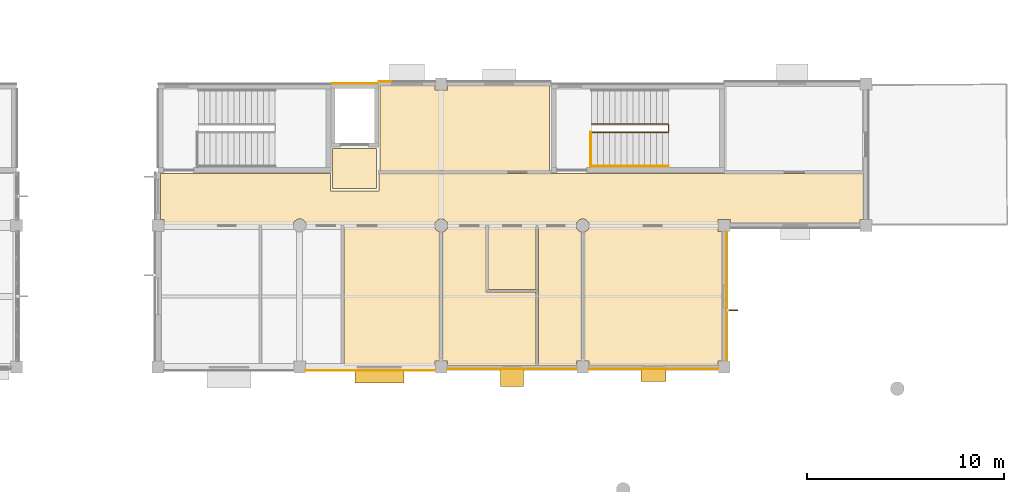
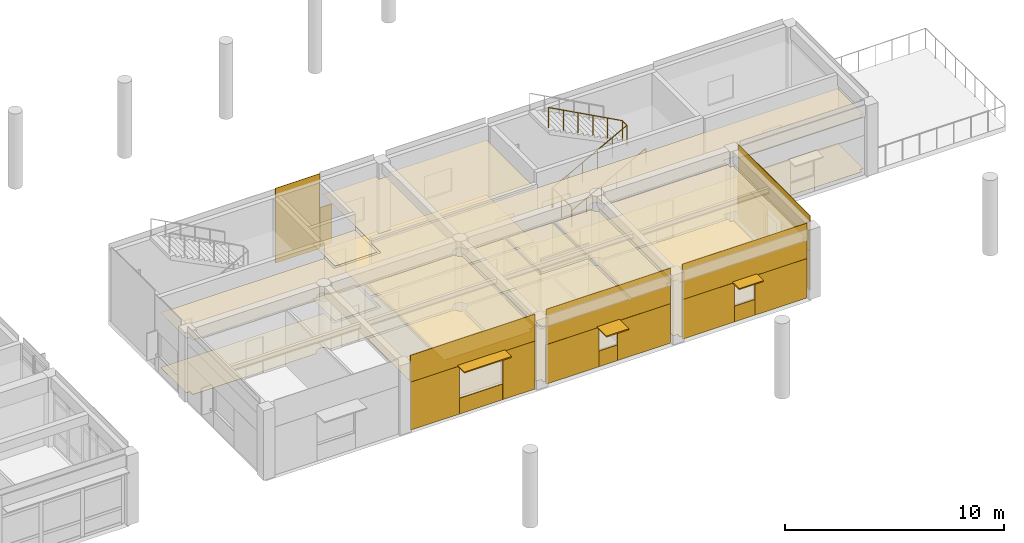
# One storey, part 43 of 55: 34 coverings, 4 shading devices, 3 railings.
"""IFC4 building model written with IfcOpenShell, lengths in metres."""

from ifc_helpers import new_model, si_unit, direction, frame, origin, origin_2d, place, context, subcontext, project, spatial, polyline, rectangle, circle, outline, extrude, material, layer, layer_set, type_object, element, save


model = new_model("IFC4")

# Units and contexts
model_context = context("Model", 3, precision=1e-05, world=origin(), true_north=direction((0.0, 1.0)))
body_context = subcontext(model_context, "Body", "Model", "MODEL_VIEW")
ifc_project = project(units=[si_unit("LENGTHUNIT", "METRE"), si_unit("AREAUNIT", "SQUARE_METRE"), si_unit("VOLUMEUNIT", "CUBIC_METRE"), si_unit("PLANEANGLEUNIT", "RADIAN"), si_unit("MASSUNIT", "GRAM", prefix="KILO")], contexts=[model_context])

# Site, building, storey
site_placement = place(None, origin())
site = spatial("IfcSite", under=ifc_project, at=site_placement, CompositionType="ELEMENT")
building_placement = place(site_placement, origin())
building = spatial("IfcBuilding", under=site, at=building_placement, Name="Namkhue Oval Health Centre", CompositionType="ELEMENT")
storey_placement = place(building_placement, frame((0.0, 0.0, 9.60009765625)))
storey = spatial("IfcBuildingStorey", under=building, at=storey_placement, Name="L02", CompositionType="ELEMENT", Elevation=9.60009765625)

# Coverings
ifc_material_1 = material(Name="Acoustic mineral-fibre cleanroom ceiling", Category="gypsum")
ifc_layer_1 = layer(ifc_material_1, 0.02001953125)
ifc_layer_set_1 = layer_set([ifc_layer_1], Name="Acoustic mineral-fibre cleanroom ceiling")
covering_type_1 = type_object("IfcCoveringType", Name="ACOUSTIC CLEANROOM CEILING 20", PredefinedType="CEILING", material=ifc_layer_set_1)
covering_1_placement = place(storey_placement, frame((0.0, 0.0, 3.0498046875)))
element("IfcCovering", 1, at=covering_1_placement, inside=storey, type_object=covering_type_1, Name="Acoustic Ceiling L02-LL6 Lift Lobby LF-06", PredefinedType="CEILING", context=body_context, shape_type="SweptSolid", body=[
    extrude(outline(polyline([(102.47998046875, 23.47998046875), (102.47998046875, 25.52001953125), (104.719970703125, 25.52001953125), (104.719970703125, 23.47998046875), (102.47998046875, 23.47998046875)])), origin(), (0.0, 0.0, 1.0), 0.02001953125),
])
covering_2_placement = place(storey_placement, frame((0.0, 0.0, 3.0498046875)))
element("IfcCovering", 2, at=covering_2_placement, inside=storey, type_object=covering_type_1, Name="Acoustic Ceiling L02-V5-C1 V5 Clinical Corridor", PredefinedType="CEILING", context=body_context, shape_type="SweptSolid", body=[
    extrude(outline(polyline([(115.52978515625, 21.639892578125), (115.523681640625, 21.686767578125), (115.489990234375, 21.767578125), (115.43701171875, 21.8369140625), (115.367431640625, 21.89013671875), (115.28662109375, 21.923583984375), (115.199951171875, 21.93505859375), (115.11328125, 21.923583984375), (115.032470703125, 21.89013671875), (114.963134765625, 21.8369140625), (114.909912109375, 21.767578125), (114.87646484375, 21.686767578125), (114.870361328125, 21.639892578125), (108.32958984375, 21.639892578125), (108.323486328125, 21.686767578125), (108.2900390625, 21.767578125), (108.23681640625, 21.8369140625), (108.16748046875, 21.89013671875), (108.086669921875, 21.923583984375), (108.0, 21.93505859375), (107.913330078125, 21.923583984375), (107.83251953125, 21.89013671875), (107.76318359375, 21.8369140625), (107.7099609375, 21.767578125), (107.676513671875, 21.686767578125), (107.67041015625, 21.639892578125), (101.129638671875, 21.639892578125), (101.12353515625, 21.686767578125), (101.090087890625, 21.767578125), (101.036865234375, 21.8369140625), (100.967529296875, 21.89013671875), (100.88671875, 21.923583984375), (100.800048828125, 21.93505859375), (100.71337890625, 21.923583984375), (100.632568359375, 21.89013671875), (100.56298828125, 21.8369140625), (100.510009765625, 21.767578125), (100.476318359375, 21.686767578125), (100.47021484375, 21.639892578125), (93.909912109375, 21.639892578125), (93.909912109375, 21.909912109375), (93.72509765625, 21.909912109375), (93.72509765625, 24.260009765625), (102.360107421875, 24.260009765625), (102.360107421875, 23.39990234375), (102.363037109375, 23.384765625), (102.37158203125, 23.37158203125), (102.384765625, 23.363037109375), (102.39990234375, 23.360107421875), (104.800048828125, 23.360107421875), (104.815185546875, 23.363037109375), (104.833251953125, 23.377685546875), (104.840087890625, 23.39990234375), (104.840087890625, 24.260009765625), (129.47509765625, 24.260009765625), (129.47509765625, 21.909912109375), (129.2900390625, 21.909912109375), (129.2900390625, 21.72509765625), (122.7099609375, 21.72509765625), (122.7099609375, 21.909912109375), (122.090087890625, 21.909912109375), (122.090087890625, 21.639892578125), (115.52978515625, 21.639892578125)])), origin(), (0.0, 0.0, 1.0), 0.02001953125),
])
covering_3_placement = place(storey_placement, frame((0.0, 0.0, 3.0498046875)))
element("IfcCovering", 3, at=covering_3_placement, inside=storey, type_object=covering_type_1, Name="Acoustic Ceiling L02-503 Sensory Calm Therapy Room", PredefinedType="CEILING", context=body_context, shape_type="SweptSolid", body=[
    extrude(outline(polyline([(103.053955078125, 14.485107421875), (103.053955078125, 21.52001953125), (107.675537109375, 21.52001953125), (107.7099609375, 21.4326171875), (107.76318359375, 21.363037109375), (107.83251953125, 21.309814453125), (107.913330078125, 21.2763671875), (107.929931640625, 21.274169921875), (107.929931640625, 14.7099609375), (107.68994140625, 14.7099609375), (107.68994140625, 14.485107421875), (103.053955078125, 14.485107421875)])), origin(), (0.0, 0.0, 1.0), 0.02001953125),
])
covering_4_placement = place(storey_placement, frame((0.0, 0.0, 3.0498046875)))
element("IfcCovering", 4, at=covering_4_placement, inside=storey, type_object=covering_type_1, Name="Acoustic Ceiling L02-504 Quiet Family Consultation Room", PredefinedType="CEILING", context=body_context, shape_type="SweptSolid", body=[
    extrude(outline(polyline([(110.280029296875, 21.52001953125), (110.280029296875, 18.219970703125), (112.820068359375, 18.219970703125), (112.820068359375, 14.485107421875), (108.31005859375, 14.485107421875), (108.31005859375, 14.7099609375), (108.070068359375, 14.7099609375), (108.070068359375, 21.274169921875), (108.086669921875, 21.2763671875), (108.16748046875, 21.309814453125), (108.23681640625, 21.363037109375), (108.2900390625, 21.4326171875), (108.324462890625, 21.52001953125), (110.280029296875, 21.52001953125)])), origin(), (0.0, 0.0, 1.0), 0.02001953125),
])
covering_5_placement = place(storey_placement, frame((0.0, 0.0, 3.0498046875)))
element("IfcCovering", 5, at=covering_5_placement, inside=storey, type_object=covering_type_1, Name="Acoustic Ceiling L02-505 Accessible WC", PredefinedType="CEILING", context=body_context, shape_type="SweptSolid", body=[
    extrude(outline(polyline([(110.39990234375, 18.340087890625), (110.39990234375, 21.52001953125), (112.820068359375, 21.52001953125), (112.820068359375, 18.340087890625), (110.39990234375, 18.340087890625)])), origin(), (0.0, 0.0, 1.0), 0.02001953125),
])
covering_6_placement = place(storey_placement, frame((0.0, 0.0, 3.0498046875)))
element("IfcCovering", 6, at=covering_6_placement, inside=storey, type_object=covering_type_1, Name="Acoustic Ceiling L02-506 Patient Washroom", PredefinedType="CEILING", context=body_context, shape_type="SweptSolid", body=[
    extrude(outline(polyline([(112.93994140625, 14.485107421875), (112.93994140625, 21.52001953125), (114.87548828125, 21.52001953125), (114.909912109375, 21.4326171875), (114.963134765625, 21.363037109375), (115.032470703125, 21.309814453125), (115.11328125, 21.2763671875), (115.1298828125, 21.274169921875), (115.1298828125, 14.7099609375), (114.889892578125, 14.7099609375), (114.889892578125, 14.485107421875), (112.93994140625, 14.485107421875)])), origin(), (0.0, 0.0, 1.0), 0.02001953125),
])
covering_7_placement = place(storey_placement, frame((0.0, 0.0, 3.0498046875)))
element("IfcCovering", 7, at=covering_7_placement, inside=storey, type_object=covering_type_1, Name="Acoustic Ceiling L02-507 Mental Health Lounge", PredefinedType="CEILING", context=body_context, shape_type="SweptSolid", body=[
    extrude(outline(polyline([(115.510009765625, 14.485107421875), (115.510009765625, 14.7099609375), (115.27001953125, 14.7099609375), (115.27001953125, 21.274169921875), (115.28662109375, 21.2763671875), (115.367431640625, 21.309814453125), (115.43701171875, 21.363037109375), (115.489990234375, 21.4326171875), (115.5244140625, 21.52001953125), (122.090087890625, 21.52001953125), (122.090087890625, 21.2900390625), (122.2451171875, 21.2900390625), (122.2451171875, 14.7099609375), (122.090087890625, 14.7099609375), (122.090087890625, 14.485107421875), (115.510009765625, 14.485107421875)])), origin(), (0.0, 0.0, 1.0), 0.02001953125),
])
covering_8_placement = place(storey_placement, frame((0.0, 0.0, 3.0498046875)))
element("IfcCovering", 8, at=covering_8_placement, inside=storey, type_object=covering_type_1, Name="Acoustic Ceiling L02-508 East Terrace Mindfulness Lounge", PredefinedType="CEILING", context=body_context, shape_type="SweptSolid", body=[
    extrude(outline(polyline([(104.8798828125, 24.3798828125), (104.8798828125, 28.715087890625), (107.68994140625, 28.715087890625), (107.68994140625, 28.489990234375), (108.31005859375, 28.489990234375), (108.31005859375, 28.715087890625), (113.52001953125, 28.715087890625), (113.52001953125, 24.3798828125), (104.8798828125, 24.3798828125)])), origin(), (0.0, 0.0, 1.0), 0.02001953125),
])
ifc_material_2 = material(Name="Homogeneous anti-bacterial clinical vinyl flooring", Category="plastic")
ifc_layer_2 = layer(ifc_material_2, 0.014892578125)
ifc_layer_set_2 = layer_set([ifc_layer_2], Name="Homogeneous anti-bacterial clinical vinyl flooring")
covering_type_2 = type_object("IfcCoveringType", Name="CLINICAL ANTIBACTERIAL VINYL FLOORING 15", PredefinedType="FLOORING", material=ifc_layer_set_2)
covering_9_placement = place(storey_placement, origin())
element("IfcCovering", 9, at=covering_9_placement, inside=storey, type_object=covering_type_2, Name="Clinical Flooring L02-LL6 Lift Lobby LF-06", PredefinedType="FLOORING", context=body_context, shape_type="SweptSolid", body=[
    extrude(outline(polyline([(102.47998046875, 23.47998046875), (102.47998046875, 25.52001953125), (104.719970703125, 25.52001953125), (104.719970703125, 23.47998046875), (102.47998046875, 23.47998046875)])), origin(), (0.0, 0.0, 1.0), 0.014892578125),
])
covering_10_placement = place(storey_placement, origin())
element("IfcCovering", 10, at=covering_10_placement, inside=storey, type_object=covering_type_2, Name="Clinical Flooring L02-V5-C1 V5 Clinical Corridor", PredefinedType="FLOORING", context=body_context, shape_type="SweptSolid", body=[
    extrude(outline(polyline([(115.52978515625, 21.639892578125), (115.523681640625, 21.686767578125), (115.489990234375, 21.767578125), (115.43701171875, 21.8369140625), (115.367431640625, 21.89013671875), (115.28662109375, 21.923583984375), (115.199951171875, 21.93505859375), (115.11328125, 21.923583984375), (115.032470703125, 21.89013671875), (114.963134765625, 21.8369140625), (114.909912109375, 21.767578125), (114.87646484375, 21.686767578125), (114.870361328125, 21.639892578125), (108.32958984375, 21.639892578125), (108.323486328125, 21.686767578125), (108.2900390625, 21.767578125), (108.23681640625, 21.8369140625), (108.16748046875, 21.89013671875), (108.086669921875, 21.923583984375), (108.0, 21.93505859375), (107.913330078125, 21.923583984375), (107.83251953125, 21.89013671875), (107.76318359375, 21.8369140625), (107.7099609375, 21.767578125), (107.676513671875, 21.686767578125), (107.67041015625, 21.639892578125), (101.129638671875, 21.639892578125), (101.12353515625, 21.686767578125), (101.090087890625, 21.767578125), (101.036865234375, 21.8369140625), (100.967529296875, 21.89013671875), (100.88671875, 21.923583984375), (100.800048828125, 21.93505859375), (100.71337890625, 21.923583984375), (100.632568359375, 21.89013671875), (100.56298828125, 21.8369140625), (100.510009765625, 21.767578125), (100.476318359375, 21.686767578125), (100.47021484375, 21.639892578125), (93.909912109375, 21.639892578125), (93.909912109375, 21.909912109375), (93.72509765625, 21.909912109375), (93.72509765625, 24.260009765625), (102.360107421875, 24.260009765625), (102.360107421875, 23.39990234375), (102.363037109375, 23.384765625), (102.37158203125, 23.37158203125), (102.384765625, 23.363037109375), (102.39990234375, 23.360107421875), (104.800048828125, 23.360107421875), (104.815185546875, 23.363037109375), (104.833251953125, 23.377685546875), (104.840087890625, 23.39990234375), (104.840087890625, 24.260009765625), (129.47509765625, 24.260009765625), (129.47509765625, 21.909912109375), (129.2900390625, 21.909912109375), (129.2900390625, 21.72509765625), (122.7099609375, 21.72509765625), (122.7099609375, 21.909912109375), (122.090087890625, 21.909912109375), (122.090087890625, 21.639892578125), (115.52978515625, 21.639892578125)])), origin(), (0.0, 0.0, 1.0), 0.014892578125),
])
covering_11_placement = place(storey_placement, origin())
element("IfcCovering", 11, at=covering_11_placement, inside=storey, type_object=covering_type_2, Name="Clinical Flooring L02-503 Sensory Calm Therapy Room", PredefinedType="FLOORING", context=body_context, shape_type="SweptSolid", body=[
    extrude(outline(polyline([(103.053955078125, 14.485107421875), (103.053955078125, 21.52001953125), (107.675537109375, 21.52001953125), (107.7099609375, 21.4326171875), (107.76318359375, 21.363037109375), (107.83251953125, 21.309814453125), (107.913330078125, 21.2763671875), (107.929931640625, 21.274169921875), (107.929931640625, 14.7099609375), (107.68994140625, 14.7099609375), (107.68994140625, 14.485107421875), (103.053955078125, 14.485107421875)])), origin(), (0.0, 0.0, 1.0), 0.014892578125),
])
covering_12_placement = place(storey_placement, origin())
element("IfcCovering", 12, at=covering_12_placement, inside=storey, type_object=covering_type_2, Name="Clinical Flooring L02-504 Quiet Family Consultation Room", PredefinedType="FLOORING", context=body_context, shape_type="SweptSolid", body=[
    extrude(outline(polyline([(110.280029296875, 21.52001953125), (110.280029296875, 18.219970703125), (112.820068359375, 18.219970703125), (112.820068359375, 14.485107421875), (108.31005859375, 14.485107421875), (108.31005859375, 14.7099609375), (108.070068359375, 14.7099609375), (108.070068359375, 21.274169921875), (108.086669921875, 21.2763671875), (108.16748046875, 21.309814453125), (108.23681640625, 21.363037109375), (108.2900390625, 21.4326171875), (108.324462890625, 21.52001953125), (110.280029296875, 21.52001953125)])), origin(), (0.0, 0.0, 1.0), 0.014892578125),
])
covering_13_placement = place(storey_placement, origin())
element("IfcCovering", 13, at=covering_13_placement, inside=storey, type_object=covering_type_2, Name="Clinical Flooring L02-505 Accessible WC", PredefinedType="FLOORING", context=body_context, shape_type="SweptSolid", body=[
    extrude(outline(polyline([(110.39990234375, 18.340087890625), (110.39990234375, 21.52001953125), (112.820068359375, 21.52001953125), (112.820068359375, 18.340087890625), (110.39990234375, 18.340087890625)])), origin(), (0.0, 0.0, 1.0), 0.014892578125),
])
covering_14_placement = place(storey_placement, origin())
element("IfcCovering", 14, at=covering_14_placement, inside=storey, type_object=covering_type_2, Name="Clinical Flooring L02-506 Patient Washroom", PredefinedType="FLOORING", context=body_context, shape_type="SweptSolid", body=[
    extrude(outline(polyline([(112.93994140625, 14.485107421875), (112.93994140625, 21.52001953125), (114.87548828125, 21.52001953125), (114.909912109375, 21.4326171875), (114.963134765625, 21.363037109375), (115.032470703125, 21.309814453125), (115.11328125, 21.2763671875), (115.1298828125, 21.274169921875), (115.1298828125, 14.7099609375), (114.889892578125, 14.7099609375), (114.889892578125, 14.485107421875), (112.93994140625, 14.485107421875)])), origin(), (0.0, 0.0, 1.0), 0.014892578125),
])
covering_15_placement = place(storey_placement, origin())
element("IfcCovering", 15, at=covering_15_placement, inside=storey, type_object=covering_type_2, Name="Clinical Flooring L02-507 Mental Health Lounge", PredefinedType="FLOORING", context=body_context, shape_type="SweptSolid", body=[
    extrude(outline(polyline([(115.510009765625, 14.485107421875), (115.510009765625, 14.7099609375), (115.27001953125, 14.7099609375), (115.27001953125, 21.274169921875), (115.28662109375, 21.2763671875), (115.367431640625, 21.309814453125), (115.43701171875, 21.363037109375), (115.489990234375, 21.4326171875), (115.5244140625, 21.52001953125), (122.090087890625, 21.52001953125), (122.090087890625, 21.2900390625), (122.2451171875, 21.2900390625), (122.2451171875, 14.7099609375), (122.090087890625, 14.7099609375), (122.090087890625, 14.485107421875), (115.510009765625, 14.485107421875)])), origin(), (0.0, 0.0, 1.0), 0.014892578125),
])
covering_16_placement = place(storey_placement, origin())
element("IfcCovering", 16, at=covering_16_placement, inside=storey, type_object=covering_type_2, Name="Clinical Flooring L02-508 East Terrace Mindfulness Lounge", PredefinedType="FLOORING", context=body_context, shape_type="SweptSolid", body=[
    extrude(outline(polyline([(104.8798828125, 24.3798828125), (104.8798828125, 28.715087890625), (107.68994140625, 28.715087890625), (107.68994140625, 28.489990234375), (108.31005859375, 28.489990234375), (108.31005859375, 28.715087890625), (113.52001953125, 28.715087890625), (113.52001953125, 24.3798828125), (104.8798828125, 24.3798828125)])), origin(), (0.0, 0.0, 1.0), 0.014892578125),
])

# Railings
ifc_material_3 = material(Name="Brushed stainless steel 316L balustrade with laminated glass infill", Category="steel")
railing_type_1 = type_object("IfcRailingType", Name="INTERIOR BALUSTRADE GUARD 1150", PredefinedType="BALUSTRADE", material=ifc_material_3)
railing_1_placement = place(storey_placement, frame((115.60009765625, 24.590087890625, 0.0)))
element("IfcRailing", 17, at=railing_1_placement, inside=storey, type_object=railing_type_1, Name="Stair ST-10 L02 Landing Well Edge Guard", PredefinedType="BALUSTRADE", context=body_context, shape_type="SweptSolid", body=[
    extrude(circle(Radius=0.02392578125, at=origin_2d()), frame((0.0, 0.0, 1.1259765625), z_axis=(0.0, 1.0, 0.0), x_axis=(-1.0, 0.0, 0.0)), (0.0, 0.0, 1.0), 1.77001953125),
    extrude(circle(Radius=0.02099609375, at=origin_2d()), origin(), (0.0, 0.0, 1.0), 1.101806640625),
    extrude(circle(Radius=0.02099609375, at=origin_2d()), frame((0.0, 0.885009765625, 0.0)), (0.0, 0.0, 1.0), 1.101806640625),
    extrude(circle(Radius=0.02099609375, at=origin_2d()), frame((0.0, 1.77001953125, 0.0)), (0.0, 0.0, 1.0), 1.101806640625),
])
railing_2_placement = place(storey_placement, frame((115.64990234375, 26.340087890625, 0.0)))
element("IfcRailing", 18, at=railing_2_placement, inside=storey, type_object=railing_type_1, Name="Stair ST-10 L02 Inner Well Guard", PredefinedType="BALUSTRADE", context=body_context, shape_type="SweptSolid", body=[
    extrude(circle(Radius=0.02392578125, at=origin_2d()), frame((0.0, 0.0, 1.1259765625), z_axis=(0.88049233674, 0.0, 0.474060381114), x_axis=(0.0, 1.0, 0.0)), (0.0, 0.0, 1.0), 4.429443359375),
    extrude(circle(Radius=0.02392578125, at=origin_2d()), frame((3.900146484375, 0.0, 3.2255859375), z_axis=(0.0, 1.0, 0.0), x_axis=(-1.0, 0.0, 0.0)), (0.0, 0.0, 1.0), 0.419921875),
    extrude(circle(Radius=0.02392578125, at=origin_2d()), frame((3.900146484375, 0.419921875, 3.2255859375), z_axis=(-0.880469330154, 0.0, 0.474103109733), x_axis=(0.0, -1.0, 0.0)), (0.0, 0.0, 1.0), 4.4296875),
    extrude(circle(Radius=0.02099609375, at=origin_2d()), origin(), (0.0, 0.0, 1.0), 1.101806640625),
    extrude(circle(Radius=0.02099609375, at=origin_2d()), frame((0.780029296875, 0.0, 0.419921875)), (0.0, 0.0, 1.0), 1.101806640625),
    extrude(circle(Radius=0.02099609375, at=origin_2d()), frame((1.56005859375, 0.0, 0.83984375)), (0.0, 0.0, 1.0), 1.101806640625),
    extrude(circle(Radius=0.02099609375, at=origin_2d()), frame((2.340087890625, 0.0, 1.260009765625)), (0.0, 0.0, 1.0), 1.101806640625),
    extrude(circle(Radius=0.02099609375, at=origin_2d()), frame((3.1201171875, 0.0, 1.679931640625)), (0.0, 0.0, 1.0), 1.101806640625),
    extrude(circle(Radius=0.02099609375, at=origin_2d()), frame((3.900146484375, 0.0, 2.099853515625)), (0.0, 0.0, 1.0), 1.101806640625),
    extrude(circle(Radius=0.02099609375, at=origin_2d()), frame((3.900146484375, 0.419921875, 2.099853515625)), (0.0, 0.0, 1.0), 1.101806640625),
    extrude(circle(Radius=0.02099609375, at=origin_2d()), frame((3.1201171875, 0.419921875, 2.519775390625)), (0.0, 0.0, 1.0), 1.101806640625),
    extrude(circle(Radius=0.02099609375, at=origin_2d()), frame((2.340087890625, 0.419921875, 2.93994140625)), (0.0, 0.0, 1.0), 1.101806640625),
    extrude(circle(Radius=0.02099609375, at=origin_2d()), frame((1.56005859375, 0.419921875, 3.35986328125)), (0.0, 0.0, 1.0), 1.101806640625),
    extrude(circle(Radius=0.02099609375, at=origin_2d()), frame((0.780029296875, 0.419921875, 3.780029296875)), (0.0, 0.0, 1.0), 1.101806640625),
    extrude(circle(Radius=0.02099609375, at=origin_2d()), frame((0.0, 0.419921875, 4.199951171875)), (0.0, 0.0, 1.0), 1.101806640625),
])
ifc_material_4 = material(Name="Brushed stainless steel 304 tubular handrail", Category="steel")
railing_type_2 = type_object("IfcRailingType", Name="INTERIOR STAIR HANDRAIL 900", PredefinedType="HANDRAIL", material=ifc_material_4)
railing_3_placement = place(storey_placement, frame((115.64990234375, 24.6201171875, 0.0)))
element("IfcRailing", 19, at=railing_3_placement, inside=storey, type_object=railing_type_2, Name="Stair ST-10 L02 Flight 1 Handrail", PredefinedType="HANDRAIL", context=body_context, shape_type="SweptSolid", body=[
    extrude(circle(Radius=0.02392578125, at=origin_2d()), frame((0.0, 0.0, 0.8759765625), z_axis=(0.88049233674, 0.0, 0.474060381114), x_axis=(0.0, 1.0, 0.0)), (0.0, 0.0, 1.0), 4.429443359375),
    extrude(circle(Radius=0.02099609375, at=origin_2d()), origin(), (0.0, 0.0, 1.0), 0.851806640625),
    extrude(circle(Radius=0.02099609375, at=origin_2d()), frame((0.780029296875, 0.0, 0.419921875)), (0.0, 0.0, 1.0), 0.851806640625),
    extrude(circle(Radius=0.02099609375, at=origin_2d()), frame((1.56005859375, 0.0, 0.83984375)), (0.0, 0.0, 1.0), 0.851806640625),
    extrude(circle(Radius=0.02099609375, at=origin_2d()), frame((2.340087890625, 0.0, 1.260009765625)), (0.0, 0.0, 1.0), 0.851806640625),
    extrude(circle(Radius=0.02099609375, at=origin_2d()), frame((3.1201171875, 0.0, 1.679931640625)), (0.0, 0.0, 1.0), 0.851806640625),
    extrude(circle(Radius=0.02099609375, at=origin_2d()), frame((3.900146484375, 0.0, 2.099853515625)), (0.0, 0.0, 1.0), 0.851806640625),
])

# Shading devices
ifc_material_5 = material(Name="Anodised aluminium EN AW-6063 T6", Category="aluminium")
ifc_layer_3 = layer(ifc_material_5, 0.06005859375)
ifc_layer_set_3 = layer_set([ifc_layer_3], Name="Anodised aluminium EN AW-6063 T6")
shading_device_type_1 = type_object("IfcShadingDeviceType", Name="MONSOON SUN LOUVRE 900", PredefinedType="JALOUSIE", material=ifc_layer_set_3)
shading_device_1_placement = place(storey_placement, frame((111.60009765625, 13.8701171875, 2.219970703125), z_axis=(0.0, 0.0, 1.0), x_axis=(1.0, 0.0, 0.0)))
element("IfcShadingDevice", 20, at=shading_device_1_placement, inside=storey, type_object=shading_device_type_1, Name="Volume V5 L02 Window Monsoon Louvre 268", PredefinedType="JALOUSIE", context=body_context, shape_type="SweptSolid", body=[
    extrude(rectangle(XDim=1.18994140625, YDim=0.89990234375, at=origin_2d()), origin(), (0.0, 0.0, 1.0), 0.06005859375),
])
ifc_layer_4 = layer(ifc_material_5, 0.050048828125)
ifc_layer_set_4 = layer_set([ifc_layer_4], Name="Anodised aluminium EN AW-6063 T6")
shading_device_type_2 = type_object("IfcShadingDeviceType", Name="STORM SHUTTER LOUVRE 650", PredefinedType="SHUTTER", material=ifc_layer_set_4)
shading_device_2_placement = place(storey_placement, frame((104.85009765625, 13.919921875, 2.699951171875), z_axis=(0.0, 0.0, 1.0), x_axis=(1.0, 0.0, 0.0)))
element("IfcShadingDevice", 21, at=shading_device_2_placement, inside=storey, type_object=shading_device_type_2, Name="Volume V5 L02 Window Monsoon Louvre 267", PredefinedType="SHUTTER", context=body_context, shape_type="SweptSolid", body=[
    extrude(rectangle(XDim=2.489990234375, YDim=0.64990234375, at=origin_2d()), origin(), (0.0, 0.0, 1.0), 0.06005859375),
])
shading_device_3_placement = place(storey_placement, frame((118.800048828125, 13.989990234375, 2.219970703125), z_axis=(0.0, 0.0, 1.0), x_axis=(1.0, 0.0, 0.0)))
element("IfcShadingDevice", 22, at=shading_device_3_placement, inside=storey, type_object=shading_device_type_2, Name="Volume V5 L02 Window Monsoon Louvre 269", PredefinedType="SHUTTER", context=body_context, shape_type="SweptSolid", body=[
    extrude(rectangle(XDim=1.2900390625, YDim=0.64990234375, at=origin_2d()), origin(), (0.0, 0.0, 1.0), 0.06005859375),
])
shading_device_type_3 = type_object("IfcShadingDeviceType", Name="VERTICAL SOLAR FIN 600", PredefinedType="USERDEFINED", material=ifc_material_5)
shading_device_4_placement = place(storey_placement, frame((122.780029296875, 17.284912109375, 0.7998046875), z_axis=(0.0, 0.0, 1.0), x_axis=(1.0, 0.0, 0.0)))
element("IfcShadingDevice", 23, at=shading_device_4_placement, inside=storey, type_object=shading_device_type_3, Name="Volume V5 L02 Window Solar Fin 270", ObjectType="SOLAR FIN", PredefinedType="USERDEFINED", context=body_context, shape_type="SweptSolid", body=[
    extrude(rectangle(XDim=0.60009765625, YDim=0.06005859375, at=origin_2d()), origin(), (0.0, 0.0, 1.0), 1.5),
])

# Coverings
ifc_material_6 = material(Name="White glass-fibre reinforced concrete GRC rainscreen cladding", Category="concrete")
ifc_layer_5 = layer(ifc_material_6, 0.02490234375)
ifc_layer_set_5 = layer_set([ifc_layer_5], Name="White glass-fibre reinforced concrete GRC rainscreen cladding")
covering_type_3 = type_object("IfcCoveringType", Name="WHITE GRC RAINSCREEN CLADDING 25", PredefinedType="CLADDING", material=ifc_layer_set_5)
covering_17_placement = place(storey_placement, frame((104.39990234375, 14.222900390625, 2.69482421875), z_axis=(0.0, 0.0, 1.0), x_axis=(1.0, 0.0, 0.0)))
element("IfcCovering", 24, at=covering_17_placement, inside=storey, type_object=covering_type_3, Name="Volume V5 L02 Facade 128 White GRC Cladding 1", PredefinedType="CLADDING", context=body_context, shape_type="SweptSolid", body=[
    extrude(rectangle(XDim=6.568115234375, YDim=0.02490234375, at=origin_2d()), origin(), (0.0, 0.0, 1.0), 1.4951171875),
])
covering_18_placement = place(storey_placement, frame((102.4130859375, 14.222900390625, 0.009765625), z_axis=(0.0, 0.0, 1.0), x_axis=(1.0, 0.0, 0.0)))
element("IfcCovering", 25, at=covering_18_placement, inside=storey, type_object=covering_type_3, Name="Volume V5 L02 Facade 128 White GRC Cladding 2", PredefinedType="CLADDING", context=body_context, shape_type="SweptSolid", body=[
    extrude(rectangle(XDim=2.593994140625, YDim=0.02490234375, at=origin_2d()), origin(), (0.0, 0.0, 1.0), 2.679931640625),
])
covering_19_placement = place(storey_placement, frame((104.85009765625, 14.222900390625, 0.010009765625), z_axis=(0.0, 0.0, 1.0), x_axis=(1.0, 0.0, 0.0)))
element("IfcCovering", 26, at=covering_19_placement, inside=storey, type_object=covering_type_3, Name="Volume V5 L02 Facade 128 White GRC Cladding 3", PredefinedType="CLADDING", context=body_context, shape_type="SweptSolid", body=[
    extrude(rectangle(XDim=2.27001953125, YDim=0.02490234375, at=origin_2d()), origin(), (0.0, 0.0, 1.0), 0.875),
])
covering_20_placement = place(storey_placement, frame((106.8369140625, 14.222900390625, 0.009765625), z_axis=(0.0, 0.0, 1.0), x_axis=(1.0, 0.0, 0.0)))
element("IfcCovering", 27, at=covering_20_placement, inside=storey, type_object=covering_type_3, Name="Volume V5 L02 Facade 128 White GRC Cladding 4", PredefinedType="CLADDING", context=body_context, shape_type="SweptSolid", body=[
    extrude(rectangle(XDim=1.694091796875, YDim=0.02490234375, at=origin_2d()), origin(), (0.0, 0.0, 1.0), 2.679931640625),
])
covering_21_placement = place(storey_placement, frame((111.60009765625, 14.298095703125, 2.21484375), z_axis=(0.0, 0.0, 1.0), x_axis=(1.0, 0.0, 0.0)))
element("IfcCovering", 28, at=covering_21_placement, inside=storey, type_object=covering_type_3, Name="Volume V5 L02 Facade 129 White GRC Cladding 1", PredefinedType="CLADDING", context=body_context, shape_type="SweptSolid", body=[
    extrude(rectangle(XDim=6.568115234375, YDim=0.02490234375, at=origin_2d()), origin(), (0.0, 0.0, 1.0), 1.97509765625),
])
covering_22_placement = place(storey_placement, frame((109.712890625, 14.298095703125, 0.009765625), z_axis=(0.0, 0.0, 1.0), x_axis=(1.0, 0.0, 0.0)))
element("IfcCovering", 29, at=covering_22_placement, inside=storey, type_object=covering_type_3, Name="Volume V5 L02 Facade 129 White GRC Cladding 2", PredefinedType="CLADDING", context=body_context, shape_type="SweptSolid", body=[
    extrude(rectangle(XDim=2.7939453125, YDim=0.02490234375, at=origin_2d()), origin(), (0.0, 0.0, 1.0), 2.199951171875),
])
covering_23_placement = place(storey_placement, frame((111.60009765625, 14.298095703125, 0.010009765625), z_axis=(0.0, 0.0, 1.0), x_axis=(1.0, 0.0, 0.0)))
element("IfcCovering", 30, at=covering_23_placement, inside=storey, type_object=covering_type_3, Name="Volume V5 L02 Facade 129 White GRC Cladding 3", PredefinedType="CLADDING", context=body_context, shape_type="SweptSolid", body=[
    extrude(rectangle(XDim=0.969970703125, YDim=0.02490234375, at=origin_2d()), origin(), (0.0, 0.0, 1.0), 0.875),
])
covering_24_placement = place(storey_placement, frame((113.487060546875, 14.298095703125, 0.009765625), z_axis=(0.0, 0.0, 1.0), x_axis=(1.0, 0.0, 0.0)))
element("IfcCovering", 31, at=covering_24_placement, inside=storey, type_object=covering_type_3, Name="Volume V5 L02 Facade 129 White GRC Cladding 4", PredefinedType="CLADDING", context=body_context, shape_type="SweptSolid", body=[
    extrude(rectangle(XDim=2.7939453125, YDim=0.02490234375, at=origin_2d()), origin(), (0.0, 0.0, 1.0), 2.199951171875),
])
covering_25_placement = place(storey_placement, frame((118.800048828125, 14.29296875, 2.21484375), z_axis=(0.0, 0.0, 1.0), x_axis=(1.0, 0.0, 0.0)))
element("IfcCovering", 32, at=covering_25_placement, inside=storey, type_object=covering_type_3, Name="Volume V5 L02 Facade 130 White GRC Cladding 1", PredefinedType="CLADDING", context=body_context, shape_type="SweptSolid", body=[
    extrude(rectangle(XDim=6.568115234375, YDim=0.02490234375, at=origin_2d()), origin(), (0.0, 0.0, 1.0), 1.97509765625),
])
covering_26_placement = place(storey_placement, frame((116.887939453125, 14.29296875, 0.009765625), z_axis=(0.0, 0.0, 1.0), x_axis=(1.0, 0.0, 0.0)))
element("IfcCovering", 33, at=covering_26_placement, inside=storey, type_object=covering_type_3, Name="Volume V5 L02 Facade 130 White GRC Cladding 2", PredefinedType="CLADDING", context=body_context, shape_type="SweptSolid", body=[
    extrude(rectangle(XDim=2.743896484375, YDim=0.02490234375, at=origin_2d()), origin(), (0.0, 0.0, 1.0), 2.199951171875),
])
covering_27_placement = place(storey_placement, frame((118.800048828125, 14.29296875, 0.010009765625), z_axis=(0.0, 0.0, 1.0), x_axis=(1.0, 0.0, 0.0)))
element("IfcCovering", 34, at=covering_27_placement, inside=storey, type_object=covering_type_3, Name="Volume V5 L02 Facade 130 White GRC Cladding 3", PredefinedType="CLADDING", context=body_context, shape_type="SweptSolid", body=[
    extrude(rectangle(XDim=1.070068359375, YDim=0.02490234375, at=origin_2d()), origin(), (0.0, 0.0, 1.0), 0.875),
])
covering_28_placement = place(storey_placement, frame((120.7119140625, 14.29296875, 0.009765625), z_axis=(0.0, 0.0, 1.0), x_axis=(1.0, 0.0, 0.0)))
element("IfcCovering", 35, at=covering_28_placement, inside=storey, type_object=covering_type_3, Name="Volume V5 L02 Facade 130 White GRC Cladding 4", PredefinedType="CLADDING", context=body_context, shape_type="SweptSolid", body=[
    extrude(rectangle(XDim=2.743896484375, YDim=0.02490234375, at=origin_2d()), origin(), (0.0, 0.0, 1.0), 2.199951171875),
])
covering_29_placement = place(storey_placement, frame((122.511962890625, 18.0, 2.21484375), z_axis=(0.0, 0.0, 1.0), x_axis=(0.0, 1.0, 0.0)))
element("IfcCovering", 36, at=covering_29_placement, inside=storey, type_object=covering_type_3, Name="Volume V5 L02 Facade 131 White GRC Cladding 1", PredefinedType="CLADDING", context=body_context, shape_type="SweptSolid", body=[
    extrude(rectangle(XDim=6.568115234375, YDim=0.02490234375, at=origin_2d()), origin(), (0.0, 0.0, 1.0), 1.97509765625),
])
covering_30_placement = place(storey_placement, frame((122.511962890625, 16.06298828125, 0.009765625), z_axis=(0.0, 0.0, 1.0), x_axis=(0.0, 1.0, 0.0)))
element("IfcCovering", 37, at=covering_30_placement, inside=storey, type_object=covering_type_3, Name="Volume V5 L02 Facade 131 White GRC Cladding 2", PredefinedType="CLADDING", context=body_context, shape_type="SweptSolid", body=[
    extrude(rectangle(XDim=2.694091796875, YDim=0.02490234375, at=origin_2d()), origin(), (0.0, 0.0, 1.0), 2.199951171875),
])
covering_31_placement = place(storey_placement, frame((122.511962890625, 18.0, 0.010009765625), z_axis=(0.0, 0.0, 1.0), x_axis=(0.0, 1.0, 0.0)))
element("IfcCovering", 38, at=covering_31_placement, inside=storey, type_object=covering_type_3, Name="Volume V5 L02 Facade 131 White GRC Cladding 3", PredefinedType="CLADDING", context=body_context, shape_type="SweptSolid", body=[
    extrude(rectangle(XDim=1.169921875, YDim=0.02490234375, at=origin_2d()), origin(), (0.0, 0.0, 1.0), 0.875),
])
covering_32_placement = place(storey_placement, frame((122.511962890625, 19.93701171875, 0.009765625), z_axis=(0.0, 0.0, 1.0), x_axis=(0.0, 1.0, 0.0)))
element("IfcCovering", 39, at=covering_32_placement, inside=storey, type_object=covering_type_3, Name="Volume V5 L02 Facade 131 White GRC Cladding 4", PredefinedType="CLADDING", context=body_context, shape_type="SweptSolid", body=[
    extrude(rectangle(XDim=2.694091796875, YDim=0.02490234375, at=origin_2d()), origin(), (0.0, 0.0, 1.0), 2.199951171875),
])
covering_33_placement = place(storey_placement, frame((105.142578125, 28.93701171875, 0.009765625), z_axis=(0.0, 0.0, 1.0), x_axis=(-1.0, 0.0, 0.0)))
element("IfcCovering", 40, at=covering_33_placement, inside=storey, type_object=covering_type_3, Name="Volume V5 L02 Facade 136 White GRC Cladding 4", PredefinedType="CLADDING", context=body_context, shape_type="SweptSolid", body=[
    extrude(rectangle(XDim=0.64111328125, YDim=0.02490234375, at=origin_2d()), origin(), (0.0, 0.0, 1.0), 2.199951171875),
])
covering_34_placement = place(storey_placement, frame((103.60009765625, 28.8369140625, 0.009765625), z_axis=(0.0, 0.0, 1.0), x_axis=(-1.0, 0.0, 0.0)))
element("IfcCovering", 41, at=covering_34_placement, inside=storey, type_object=covering_type_3, Name="Lift LF-06 L02 N White GRC Cladding 1", PredefinedType="CLADDING", context=body_context, shape_type="SweptSolid", body=[
    extrude(rectangle(XDim=2.360107421875, YDim=0.02490234375, at=origin_2d()), origin(), (0.0, 0.0, 1.0), 4.179931640625),
])

save(model, "model.ifc")
